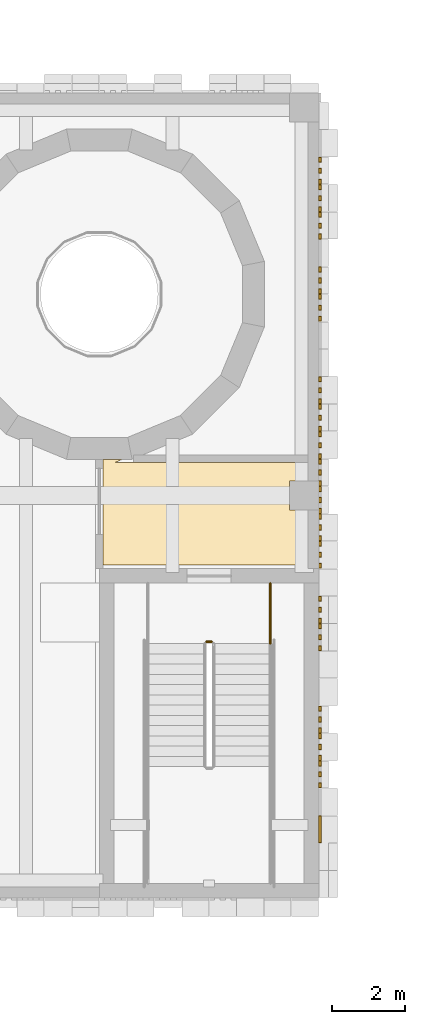
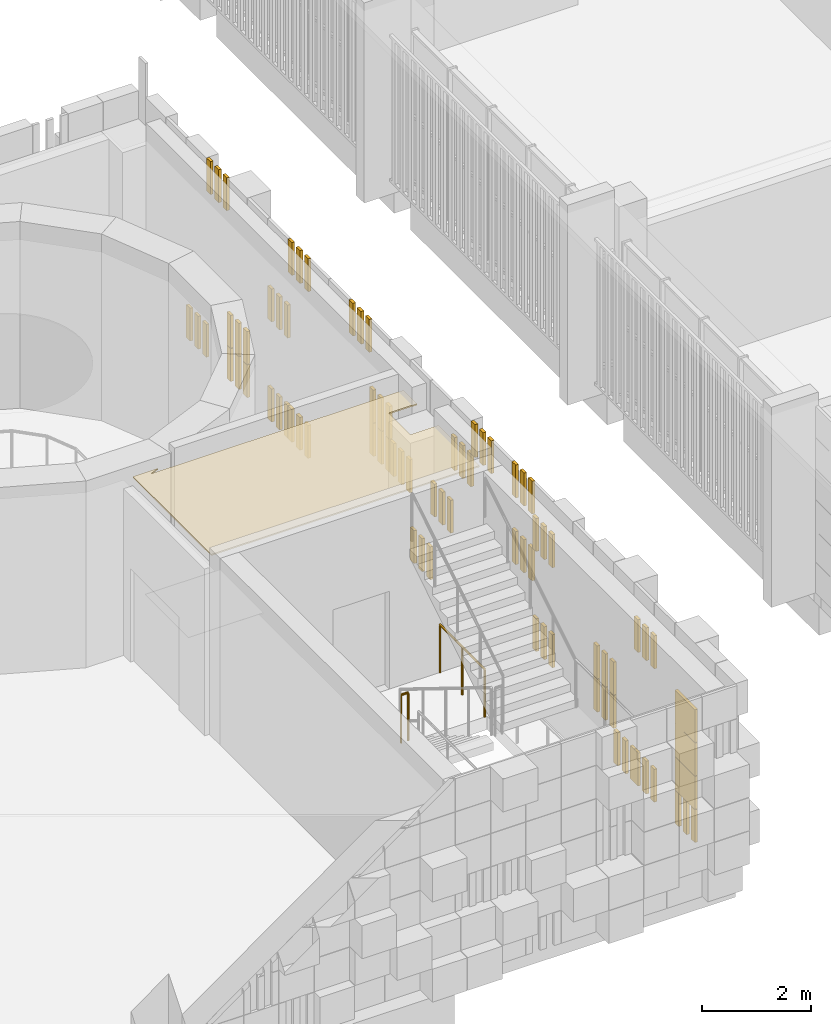
# One storey, part 74 of 92: 2 coverings, 2 railings.
"""IFC4 building model written with IfcOpenShell, lengths in metres."""

from ifc_helpers import new_model, si_unit, direction, frame, origin, origin_2d, place, context, subcontext, project, spatial, polyline, rectangle, circle, outline, extrude, material, layer, layer_set, type_object, element, save


model = new_model("IFC4")

# Units and contexts
model_context = context("Model", 3, precision=1e-05, world=origin(), true_north=direction((0.0, 1.0)))
body_context = subcontext(model_context, "Body", "Model", "MODEL_VIEW")
ifc_project = project(units=[si_unit("LENGTHUNIT", "METRE"), si_unit("AREAUNIT", "SQUARE_METRE"), si_unit("VOLUMEUNIT", "CUBIC_METRE"), si_unit("PLANEANGLEUNIT", "RADIAN"), si_unit("MASSUNIT", "GRAM", prefix="KILO")], contexts=[model_context])

# Site, building, storey
site_placement = place(None, origin())
site = spatial("IfcSite", under=ifc_project, at=site_placement, CompositionType="ELEMENT")
building_placement = place(site_placement, origin())
building = spatial("IfcBuilding", under=site, at=building_placement, Name="Sun Court Science Centre", CompositionType="ELEMENT")
storey_placement = place(building_placement, frame((0.0, 0.0, 11.25)))
storey = spatial("IfcBuildingStorey", under=building, at=storey_placement, Name="L02", CompositionType="ELEMENT", Elevation=11.25)

# Covering
ifc_material_1 = material(Name="Gypsum board")
ifc_layer_1 = layer(ifc_material_1, 0.030029296875)
ifc_layer_set_1 = layer_set([ifc_layer_1], Name="Gypsum board")
covering_type_1 = type_object("IfcCoveringType", Name="Ceiling suspended 600 module", PredefinedType="CEILING", material=ifc_layer_set_1)
covering_1_placement = place(storey_placement, frame((0.0, 0.0, 3.919921875)))
element("IfcCovering", 1, at=covering_1_placement, inside=storey, type_object=covering_type_1, Name="L02-028 ceiling", PredefinedType="CEILING", context=body_context, shape_type="SweptSolid", body=[
    extrude(outline(polyline([(71.800048828125, 15.10009765625), (66.10009765625, 15.10009765625), (66.10009765625, 17.98828125), (66.635986328125, 17.98828125), (66.4345703125, 17.90478515625), (66.435546875, 17.89990234375), (71.800048828125, 17.89990234375), (71.800048828125, 17.39990234375), (71.199951171875, 17.39990234375), (71.199951171875, 16.60009765625), (71.800048828125, 16.60009765625), (71.800048828125, 15.10009765625)])), origin(), (0.0, 0.0, 1.0), 0.030029296875),
])

# Railings
ifc_material_2 = material(Name="Steel S275", Category="steel")
railing_type = type_object("IfcRailingType", Name="Guard 1100 steel balustrade", PredefinedType="GUARDRAIL", material=ifc_material_2)
railing_1_placement = place(storey_placement, frame((68.925048828125, 13.001953125, 0.0)))
element("IfcRailing", 2, at=railing_1_placement, inside=storey, type_object=railing_type, Name="L02 SB3 stair guard 6", PredefinedType="GUARDRAIL", context=body_context, shape_type="SweptSolid", body=[
    extrude(circle(Radius=0.02392578125, at=origin_2d()), frame((0.0, 0.0, 1.076171875), z_axis=(1.0, 0.0, 0.0), x_axis=(0.0, 1.0, 0.0)), (0.0, 0.0, 1.0), 0.14990234375),
    extrude(circle(Radius=0.02099609375, at=origin_2d()), origin(), (0.0, 0.0, 1.0), 1.052001953125),
    extrude(circle(Radius=0.02099609375, at=origin_2d()), frame((0.14990234375, 0.0, 0.0)), (0.0, 0.0, 1.0), 1.052001953125),
])
railing_2_placement = place(storey_placement, frame((70.673095703125, 14.60009765625, 0.0)))
element("IfcRailing", 3, at=railing_2_placement, inside=storey, type_object=railing_type, Name="L02 SB3 stair guard 8", PredefinedType="GUARDRAIL", context=body_context, shape_type="SweptSolid", body=[
    extrude(circle(Radius=0.02392578125, at=origin_2d()), frame((0.0, 0.0, 1.076171875), z_axis=(0.0, -1.0, 0.0), x_axis=(1.0, 0.0, 0.0)), (0.0, 0.0, 1.0), 1.648193359375),
    extrude(circle(Radius=0.02099609375, at=origin_2d()), origin(), (0.0, 0.0, 1.0), 1.052001953125),
    extrude(circle(Radius=0.02099609375, at=origin_2d()), frame((0.0, -0.82421875, 0.0)), (0.0, 0.0, 1.0), 1.052001953125),
    extrude(circle(Radius=0.02099609375, at=origin_2d()), frame((0.0, -1.648193359375, 0.0)), (0.0, 0.0, 1.0), 1.052001953125),
])

# Covering
ifc_material_3 = material(Name="Terracotta jali", Category="masonry")
ifc_layer_2 = layer(ifc_material_3, 0.06005859375)
ifc_layer_set_2 = layer_set([ifc_layer_2], Name="Terracotta jali")
covering_type_2 = type_object("IfcCoveringType", Name="Terracotta open jali panel", PredefinedType="CLADDING", material=ifc_layer_set_2)
covering_2_placement = place(storey_placement, frame((0.0, 0.0, -11.25)))
element("IfcCovering", 4, at=covering_2_placement, inside=storey, type_object=covering_type_2, Name="Open jali pixel cladding east face L02", PredefinedType="CLADDING", context=body_context, shape_type="SweptSolid", body=[
    extrude(rectangle(XDim=0.139892578125, YDim=0.06005859375, at=origin_2d()), frame((72.030029296875, 26.175048828125, 11.2548828125), z_axis=(0.0, 0.0, 1.0), x_axis=(0.0, -1.0, 0.0)), (0.0, 0.0, 1.0), 0.739990234375),
    extrude(rectangle(XDim=0.139892578125, YDim=0.06005859375, at=origin_2d()), frame((72.030029296875, 25.875, 11.2548828125), z_axis=(0.0, 0.0, 1.0), x_axis=(0.0, -1.0, 0.0)), (0.0, 0.0, 1.0), 0.739990234375),
    extrude(rectangle(XDim=0.139892578125, YDim=0.06005859375, at=origin_2d()), frame((72.030029296875, 25.574951171875, 11.2548828125), z_axis=(0.0, 0.0, 1.0), x_axis=(0.0, -1.0, 0.0)), (0.0, 0.0, 1.0), 0.739990234375),
    extrude(rectangle(XDim=0.139892578125, YDim=0.06005859375, at=origin_2d()), frame((72.030029296875, 24.675048828125, 11.2548828125), z_axis=(0.0, 0.0, 1.0), x_axis=(0.0, -1.0, 0.0)), (0.0, 0.0, 1.0), 0.739990234375),
    extrude(rectangle(XDim=0.139892578125, YDim=0.06005859375, at=origin_2d()), frame((72.030029296875, 24.375, 11.2548828125), z_axis=(0.0, 0.0, 1.0), x_axis=(0.0, -1.0, 0.0)), (0.0, 0.0, 1.0), 0.739990234375),
    extrude(rectangle(XDim=0.139892578125, YDim=0.06005859375, at=origin_2d()), frame((72.030029296875, 24.074951171875, 11.2548828125), z_axis=(0.0, 0.0, 1.0), x_axis=(0.0, -1.0, 0.0)), (0.0, 0.0, 1.0), 0.739990234375),
    extrude(rectangle(XDim=0.139892578125, YDim=0.06005859375, at=origin_2d()), frame((72.030029296875, 23.175048828125, 11.2548828125), z_axis=(0.0, 0.0, 1.0), x_axis=(0.0, -1.0, 0.0)), (0.0, 0.0, 1.0), 0.739990234375),
    extrude(rectangle(XDim=0.139892578125, YDim=0.06005859375, at=origin_2d()), frame((72.030029296875, 22.875, 11.2548828125), z_axis=(0.0, 0.0, 1.0), x_axis=(0.0, -1.0, 0.0)), (0.0, 0.0, 1.0), 0.739990234375),
    extrude(rectangle(XDim=0.139892578125, YDim=0.06005859375, at=origin_2d()), frame((72.030029296875, 22.574951171875, 11.2548828125), z_axis=(0.0, 0.0, 1.0), x_axis=(0.0, -1.0, 0.0)), (0.0, 0.0, 1.0), 0.739990234375),
    extrude(rectangle(XDim=0.139892578125, YDim=0.06005859375, at=origin_2d()), frame((72.030029296875, 22.425048828125, 11.2548828125), z_axis=(0.0, 0.0, 1.0), x_axis=(0.0, -1.0, 0.0)), (0.0, 0.0, 1.0), 0.739990234375),
    extrude(rectangle(XDim=0.139892578125, YDim=0.06005859375, at=origin_2d()), frame((72.030029296875, 22.125, 11.2548828125), z_axis=(0.0, 0.0, 1.0), x_axis=(0.0, -1.0, 0.0)), (0.0, 0.0, 1.0), 0.739990234375),
    extrude(rectangle(XDim=0.139892578125, YDim=0.06005859375, at=origin_2d()), frame((72.030029296875, 21.824951171875, 11.2548828125), z_axis=(0.0, 0.0, 1.0), x_axis=(0.0, -1.0, 0.0)), (0.0, 0.0, 1.0), 0.739990234375),
    extrude(rectangle(XDim=0.139892578125, YDim=0.06005859375, at=origin_2d()), frame((72.030029296875, 17.925048828125, 11.2548828125), z_axis=(0.0, 0.0, 1.0), x_axis=(0.0, -1.0, 0.0)), (0.0, 0.0, 1.0), 0.739990234375),
    extrude(rectangle(XDim=0.139892578125, YDim=0.06005859375, at=origin_2d()), frame((72.030029296875, 17.625, 11.2548828125), z_axis=(0.0, 0.0, 1.0), x_axis=(0.0, -1.0, 0.0)), (0.0, 0.0, 1.0), 0.739990234375),
    extrude(rectangle(XDim=0.139892578125, YDim=0.06005859375, at=origin_2d()), frame((72.030029296875, 17.324951171875, 11.2548828125), z_axis=(0.0, 0.0, 1.0), x_axis=(0.0, -1.0, 0.0)), (0.0, 0.0, 1.0), 0.739990234375),
    extrude(rectangle(XDim=0.139892578125, YDim=0.06005859375, at=origin_2d()), frame((72.030029296875, 10.425048828125, 11.2548828125), z_axis=(0.0, 0.0, 1.0), x_axis=(0.0, -1.0, 0.0)), (0.0, 0.0, 1.0), 0.739990234375),
    extrude(rectangle(XDim=0.139892578125, YDim=0.06005859375, at=origin_2d()), frame((72.030029296875, 10.125, 11.2548828125), z_axis=(0.0, 0.0, 1.0), x_axis=(0.0, -1.0, 0.0)), (0.0, 0.0, 1.0), 0.739990234375),
    extrude(rectangle(XDim=0.139892578125, YDim=0.06005859375, at=origin_2d()), frame((72.030029296875, 9.824951171875, 11.2548828125), z_axis=(0.0, 0.0, 1.0), x_axis=(0.0, -1.0, 0.0)), (0.0, 0.0, 1.0), 0.739990234375),
    extrude(rectangle(XDim=0.139892578125, YDim=0.06005859375, at=origin_2d()), frame((72.030029296875, 9.675048828125, 11.2548828125), z_axis=(0.0, 0.0, 1.0), x_axis=(0.0, -1.0, 0.0)), (0.0, 0.0, 1.0), 0.739990234375),
    extrude(rectangle(XDim=0.139892578125, YDim=0.06005859375, at=origin_2d()), frame((72.030029296875, 9.375, 11.2548828125), z_axis=(0.0, 0.0, 1.0), x_axis=(0.0, -1.0, 0.0)), (0.0, 0.0, 1.0), 0.739990234375),
    extrude(rectangle(XDim=0.139892578125, YDim=0.06005859375, at=origin_2d()), frame((72.030029296875, 9.074951171875, 11.2548828125), z_axis=(0.0, 0.0, 1.0), x_axis=(0.0, -1.0, 0.0)), (0.0, 0.0, 1.0), 0.739990234375),
    extrude(rectangle(XDim=0.139892578125, YDim=0.06005859375, at=origin_2d()), frame((72.030029296875, 8.175048828125, 11.2548828125), z_axis=(0.0, 0.0, 1.0), x_axis=(0.0, -1.0, 0.0)), (0.0, 0.0, 1.0), 0.739990234375),
    extrude(rectangle(XDim=0.139892578125, YDim=0.06005859375, at=origin_2d()), frame((72.030029296875, 7.875, 11.2548828125), z_axis=(0.0, 0.0, 1.0), x_axis=(0.0, -1.0, 0.0)), (0.0, 0.0, 1.0), 0.739990234375),
    extrude(rectangle(XDim=0.139892578125, YDim=0.06005859375, at=origin_2d()), frame((72.030029296875, 7.574951171875, 11.2548828125), z_axis=(0.0, 0.0, 1.0), x_axis=(0.0, -1.0, 0.0)), (0.0, 0.0, 1.0), 0.739990234375),
    extrude(rectangle(XDim=0.139892578125, YDim=0.06005859375, at=origin_2d()), frame((72.030029296875, 24.675048828125, 12.0048828125), z_axis=(0.0, 0.0, 1.0), x_axis=(0.0, -1.0, 0.0)), (0.0, 0.0, 1.0), 0.739990234375),
    extrude(rectangle(XDim=0.139892578125, YDim=0.06005859375, at=origin_2d()), frame((72.030029296875, 24.375, 12.0048828125), z_axis=(0.0, 0.0, 1.0), x_axis=(0.0, -1.0, 0.0)), (0.0, 0.0, 1.0), 0.739990234375),
    extrude(rectangle(XDim=0.139892578125, YDim=0.06005859375, at=origin_2d()), frame((72.030029296875, 24.074951171875, 12.0048828125), z_axis=(0.0, 0.0, 1.0), x_axis=(0.0, -1.0, 0.0)), (0.0, 0.0, 1.0), 0.739990234375),
    extrude(rectangle(XDim=0.139892578125, YDim=0.06005859375, at=origin_2d()), frame((72.030029296875, 13.425048828125, 12.0048828125), z_axis=(0.0, 0.0, 1.0), x_axis=(0.0, -1.0, 0.0)), (0.0, 0.0, 1.0), 0.739990234375),
    extrude(rectangle(XDim=0.139892578125, YDim=0.06005859375, at=origin_2d()), frame((72.030029296875, 13.125, 12.0048828125), z_axis=(0.0, 0.0, 1.0), x_axis=(0.0, -1.0, 0.0)), (0.0, 0.0, 1.0), 0.739990234375),
    extrude(rectangle(XDim=0.139892578125, YDim=0.06005859375, at=origin_2d()), frame((72.030029296875, 12.824951171875, 12.0048828125), z_axis=(0.0, 0.0, 1.0), x_axis=(0.0, -1.0, 0.0)), (0.0, 0.0, 1.0), 0.739990234375),
    extrude(rectangle(XDim=0.139892578125, YDim=0.06005859375, at=origin_2d()), frame((72.030029296875, 11.175048828125, 12.0048828125), z_axis=(0.0, 0.0, 1.0), x_axis=(0.0, -1.0, 0.0)), (0.0, 0.0, 1.0), 0.739990234375),
    extrude(rectangle(XDim=0.139892578125, YDim=0.06005859375, at=origin_2d()), frame((72.030029296875, 10.875, 12.0048828125), z_axis=(0.0, 0.0, 1.0), x_axis=(0.0, -1.0, 0.0)), (0.0, 0.0, 1.0), 0.739990234375),
    extrude(rectangle(XDim=0.139892578125, YDim=0.06005859375, at=origin_2d()), frame((72.030029296875, 10.574951171875, 12.0048828125), z_axis=(0.0, 0.0, 1.0), x_axis=(0.0, -1.0, 0.0)), (0.0, 0.0, 1.0), 0.739990234375),
    extrude(rectangle(XDim=0.139892578125, YDim=0.06005859375, at=origin_2d()), frame((72.030029296875, 19.425048828125, 12.7548828125), z_axis=(0.0, 0.0, 1.0), x_axis=(0.0, -1.0, 0.0)), (0.0, 0.0, 1.0), 0.739990234375),
    extrude(rectangle(XDim=0.139892578125, YDim=0.06005859375, at=origin_2d()), frame((72.030029296875, 19.125, 12.7548828125), z_axis=(0.0, 0.0, 1.0), x_axis=(0.0, -1.0, 0.0)), (0.0, 0.0, 1.0), 0.739990234375),
    extrude(rectangle(XDim=0.139892578125, YDim=0.06005859375, at=origin_2d()), frame((72.030029296875, 18.824951171875, 12.7548828125), z_axis=(0.0, 0.0, 1.0), x_axis=(0.0, -1.0, 0.0)), (0.0, 0.0, 1.0), 0.739990234375),
    extrude(rectangle(XDim=0.139892578125, YDim=0.06005859375, at=origin_2d()), frame((72.030029296875, 18.675048828125, 12.7548828125), z_axis=(0.0, 0.0, 1.0), x_axis=(0.0, -1.0, 0.0)), (0.0, 0.0, 1.0), 0.739990234375),
    extrude(rectangle(XDim=0.139892578125, YDim=0.06005859375, at=origin_2d()), frame((72.030029296875, 18.375, 12.7548828125), z_axis=(0.0, 0.0, 1.0), x_axis=(0.0, -1.0, 0.0)), (0.0, 0.0, 1.0), 0.739990234375),
    extrude(rectangle(XDim=0.139892578125, YDim=0.06005859375, at=origin_2d()), frame((72.030029296875, 18.074951171875, 12.7548828125), z_axis=(0.0, 0.0, 1.0), x_axis=(0.0, -1.0, 0.0)), (0.0, 0.0, 1.0), 0.739990234375),
    extrude(rectangle(XDim=0.139892578125, YDim=0.06005859375, at=origin_2d()), frame((72.030029296875, 17.175048828125, 12.7548828125), z_axis=(0.0, 0.0, 1.0), x_axis=(0.0, -1.0, 0.0)), (0.0, 0.0, 1.0), 0.739990234375),
    extrude(rectangle(XDim=0.139892578125, YDim=0.06005859375, at=origin_2d()), frame((72.030029296875, 16.875, 12.7548828125), z_axis=(0.0, 0.0, 1.0), x_axis=(0.0, -1.0, 0.0)), (0.0, 0.0, 1.0), 0.739990234375),
    extrude(rectangle(XDim=0.139892578125, YDim=0.06005859375, at=origin_2d()), frame((72.030029296875, 16.574951171875, 12.7548828125), z_axis=(0.0, 0.0, 1.0), x_axis=(0.0, -1.0, 0.0)), (0.0, 0.0, 1.0), 0.739990234375),
    extrude(rectangle(XDim=0.139892578125, YDim=0.06005859375, at=origin_2d()), frame((72.030029296875, 11.175048828125, 12.7548828125), z_axis=(0.0, 0.0, 1.0), x_axis=(0.0, -1.0, 0.0)), (0.0, 0.0, 1.0), 0.739990234375),
    extrude(rectangle(XDim=0.139892578125, YDim=0.06005859375, at=origin_2d()), frame((72.030029296875, 10.875, 12.7548828125), z_axis=(0.0, 0.0, 1.0), x_axis=(0.0, -1.0, 0.0)), (0.0, 0.0, 1.0), 0.739990234375),
    extrude(rectangle(XDim=0.139892578125, YDim=0.06005859375, at=origin_2d()), frame((72.030029296875, 10.574951171875, 12.7548828125), z_axis=(0.0, 0.0, 1.0), x_axis=(0.0, -1.0, 0.0)), (0.0, 0.0, 1.0), 0.739990234375),
    extrude(rectangle(XDim=0.139892578125, YDim=0.06005859375, at=origin_2d()), frame((72.030029296875, 23.175048828125, 13.5048828125), z_axis=(0.0, 0.0, 1.0), x_axis=(0.0, -1.0, 0.0)), (0.0, 0.0, 1.0), 0.739990234375),
    extrude(rectangle(XDim=0.139892578125, YDim=0.06005859375, at=origin_2d()), frame((72.030029296875, 22.875, 13.5048828125), z_axis=(0.0, 0.0, 1.0), x_axis=(0.0, -1.0, 0.0)), (0.0, 0.0, 1.0), 0.739990234375),
    extrude(rectangle(XDim=0.139892578125, YDim=0.06005859375, at=origin_2d()), frame((72.030029296875, 22.574951171875, 13.5048828125), z_axis=(0.0, 0.0, 1.0), x_axis=(0.0, -1.0, 0.0)), (0.0, 0.0, 1.0), 0.739990234375),
    extrude(rectangle(XDim=0.139892578125, YDim=0.06005859375, at=origin_2d()), frame((72.030029296875, 19.425048828125, 13.5048828125), z_axis=(0.0, 0.0, 1.0), x_axis=(0.0, -1.0, 0.0)), (0.0, 0.0, 1.0), 0.739990234375),
    extrude(rectangle(XDim=0.139892578125, YDim=0.06005859375, at=origin_2d()), frame((72.030029296875, 19.125, 13.5048828125), z_axis=(0.0, 0.0, 1.0), x_axis=(0.0, -1.0, 0.0)), (0.0, 0.0, 1.0), 0.739990234375),
    extrude(rectangle(XDim=0.139892578125, YDim=0.06005859375, at=origin_2d()), frame((72.030029296875, 18.824951171875, 13.5048828125), z_axis=(0.0, 0.0, 1.0), x_axis=(0.0, -1.0, 0.0)), (0.0, 0.0, 1.0), 0.739990234375),
    extrude(rectangle(XDim=0.139892578125, YDim=0.06005859375, at=origin_2d()), frame((72.030029296875, 14.175048828125, 13.5048828125), z_axis=(0.0, 0.0, 1.0), x_axis=(0.0, -1.0, 0.0)), (0.0, 0.0, 1.0), 0.739990234375),
    extrude(rectangle(XDim=0.139892578125, YDim=0.06005859375, at=origin_2d()), frame((72.030029296875, 13.875, 13.5048828125), z_axis=(0.0, 0.0, 1.0), x_axis=(0.0, -1.0, 0.0)), (0.0, 0.0, 1.0), 0.739990234375),
    extrude(rectangle(XDim=0.139892578125, YDim=0.06005859375, at=origin_2d()), frame((72.030029296875, 13.574951171875, 13.5048828125), z_axis=(0.0, 0.0, 1.0), x_axis=(0.0, -1.0, 0.0)), (0.0, 0.0, 1.0), 0.739990234375),
    extrude(rectangle(XDim=0.139892578125, YDim=0.06005859375, at=origin_2d()), frame((72.030029296875, 16.425048828125, 14.2548828125), z_axis=(0.0, 0.0, 1.0), x_axis=(0.0, -1.0, 0.0)), (0.0, 0.0, 1.0), 0.739990234375),
    extrude(rectangle(XDim=0.139892578125, YDim=0.06005859375, at=origin_2d()), frame((72.030029296875, 16.125, 14.2548828125), z_axis=(0.0, 0.0, 1.0), x_axis=(0.0, -1.0, 0.0)), (0.0, 0.0, 1.0), 0.739990234375),
    extrude(rectangle(XDim=0.139892578125, YDim=0.06005859375, at=origin_2d()), frame((72.030029296875, 15.824951171875, 14.2548828125), z_axis=(0.0, 0.0, 1.0), x_axis=(0.0, -1.0, 0.0)), (0.0, 0.0, 1.0), 0.739990234375),
    extrude(rectangle(XDim=0.139892578125, YDim=0.06005859375, at=origin_2d()), frame((72.030029296875, 13.425048828125, 14.2548828125), z_axis=(0.0, 0.0, 1.0), x_axis=(0.0, -1.0, 0.0)), (0.0, 0.0, 1.0), 0.739990234375),
    extrude(rectangle(XDim=0.139892578125, YDim=0.06005859375, at=origin_2d()), frame((72.030029296875, 13.125, 14.2548828125), z_axis=(0.0, 0.0, 1.0), x_axis=(0.0, -1.0, 0.0)), (0.0, 0.0, 1.0), 0.739990234375),
    extrude(rectangle(XDim=0.139892578125, YDim=0.06005859375, at=origin_2d()), frame((72.030029296875, 12.824951171875, 14.2548828125), z_axis=(0.0, 0.0, 1.0), x_axis=(0.0, -1.0, 0.0)), (0.0, 0.0, 1.0), 0.739990234375),
    extrude(rectangle(XDim=0.139892578125, YDim=0.06005859375, at=origin_2d()), frame((72.030029296875, 9.675048828125, 14.2548828125), z_axis=(0.0, 0.0, 1.0), x_axis=(0.0, -1.0, 0.0)), (0.0, 0.0, 1.0), 0.739990234375),
    extrude(rectangle(XDim=0.139892578125, YDim=0.06005859375, at=origin_2d()), frame((72.030029296875, 9.375, 14.2548828125), z_axis=(0.0, 0.0, 1.0), x_axis=(0.0, -1.0, 0.0)), (0.0, 0.0, 1.0), 0.739990234375),
    extrude(rectangle(XDim=0.139892578125, YDim=0.06005859375, at=origin_2d()), frame((72.030029296875, 9.074951171875, 14.2548828125), z_axis=(0.0, 0.0, 1.0), x_axis=(0.0, -1.0, 0.0)), (0.0, 0.0, 1.0), 0.739990234375),
    extrude(rectangle(XDim=0.139892578125, YDim=0.06005859375, at=origin_2d()), frame((72.030029296875, 25.425048828125, 15.0048828125), z_axis=(0.0, 0.0, 1.0), x_axis=(0.0, -1.0, 0.0)), (0.0, 0.0, 1.0), 0.739990234375),
    extrude(rectangle(XDim=0.139892578125, YDim=0.06005859375, at=origin_2d()), frame((72.030029296875, 25.125, 15.0048828125), z_axis=(0.0, 0.0, 1.0), x_axis=(0.0, -1.0, 0.0)), (0.0, 0.0, 1.0), 0.739990234375),
    extrude(rectangle(XDim=0.139892578125, YDim=0.06005859375, at=origin_2d()), frame((72.030029296875, 24.824951171875, 15.0048828125), z_axis=(0.0, 0.0, 1.0), x_axis=(0.0, -1.0, 0.0)), (0.0, 0.0, 1.0), 0.739990234375),
    extrude(rectangle(XDim=0.139892578125, YDim=0.06005859375, at=origin_2d()), frame((72.030029296875, 22.425048828125, 15.0048828125), z_axis=(0.0, 0.0, 1.0), x_axis=(0.0, -1.0, 0.0)), (0.0, 0.0, 1.0), 0.739990234375),
    extrude(rectangle(XDim=0.139892578125, YDim=0.06005859375, at=origin_2d()), frame((72.030029296875, 22.125, 15.0048828125), z_axis=(0.0, 0.0, 1.0), x_axis=(0.0, -1.0, 0.0)), (0.0, 0.0, 1.0), 0.739990234375),
    extrude(rectangle(XDim=0.139892578125, YDim=0.06005859375, at=origin_2d()), frame((72.030029296875, 21.824951171875, 15.0048828125), z_axis=(0.0, 0.0, 1.0), x_axis=(0.0, -1.0, 0.0)), (0.0, 0.0, 1.0), 0.739990234375),
    extrude(rectangle(XDim=0.139892578125, YDim=0.06005859375, at=origin_2d()), frame((72.030029296875, 20.175048828125, 15.0048828125), z_axis=(0.0, 0.0, 1.0), x_axis=(0.0, -1.0, 0.0)), (0.0, 0.0, 1.0), 0.739990234375),
    extrude(rectangle(XDim=0.139892578125, YDim=0.06005859375, at=origin_2d()), frame((72.030029296875, 19.875, 15.0048828125), z_axis=(0.0, 0.0, 1.0), x_axis=(0.0, -1.0, 0.0)), (0.0, 0.0, 1.0), 0.739990234375),
    extrude(rectangle(XDim=0.139892578125, YDim=0.06005859375, at=origin_2d()), frame((72.030029296875, 19.574951171875, 15.0048828125), z_axis=(0.0, 0.0, 1.0), x_axis=(0.0, -1.0, 0.0)), (0.0, 0.0, 1.0), 0.739990234375),
    extrude(rectangle(XDim=0.139892578125, YDim=0.06005859375, at=origin_2d()), frame((72.030029296875, 15.675048828125, 15.0048828125), z_axis=(0.0, 0.0, 1.0), x_axis=(0.0, -1.0, 0.0)), (0.0, 0.0, 1.0), 0.739990234375),
    extrude(rectangle(XDim=0.139892578125, YDim=0.06005859375, at=origin_2d()), frame((72.030029296875, 15.375, 15.0048828125), z_axis=(0.0, 0.0, 1.0), x_axis=(0.0, -1.0, 0.0)), (0.0, 0.0, 1.0), 0.739990234375),
    extrude(rectangle(XDim=0.139892578125, YDim=0.06005859375, at=origin_2d()), frame((72.030029296875, 15.074951171875, 15.0048828125), z_axis=(0.0, 0.0, 1.0), x_axis=(0.0, -1.0, 0.0)), (0.0, 0.0, 1.0), 0.739990234375),
    extrude(rectangle(XDim=0.139892578125, YDim=0.06005859375, at=origin_2d()), frame((72.030029296875, 14.175048828125, 15.0048828125), z_axis=(0.0, 0.0, 1.0), x_axis=(0.0, -1.0, 0.0)), (0.0, 0.0, 1.0), 0.739990234375),
    extrude(rectangle(XDim=0.139892578125, YDim=0.06005859375, at=origin_2d()), frame((72.030029296875, 13.875, 15.0048828125), z_axis=(0.0, 0.0, 1.0), x_axis=(0.0, -1.0, 0.0)), (0.0, 0.0, 1.0), 0.739990234375),
    extrude(rectangle(XDim=0.139892578125, YDim=0.06005859375, at=origin_2d()), frame((72.030029296875, 13.574951171875, 15.0048828125), z_axis=(0.0, 0.0, 1.0), x_axis=(0.0, -1.0, 0.0)), (0.0, 0.0, 1.0), 0.739990234375),
    extrude(rectangle(XDim=0.739990234375, YDim=0.06005859375, at=origin_2d()), frame((72.030029296875, 7.875, 12.7548828125), z_axis=(0.0, 0.0, 1.0), x_axis=(0.0, -1.0, 0.0)), (0.0, 0.0, 1.0), 0.739990234375),
    extrude(rectangle(XDim=0.739990234375, YDim=0.06005859375, at=origin_2d()), frame((72.030029296875, 7.875, 12.0048828125), z_axis=(0.0, 0.0, 1.0), x_axis=(0.0, -1.0, 0.0)), (0.0, 0.0, 1.0), 0.739990234375),
    extrude(rectangle(XDim=0.739990234375, YDim=0.06005859375, at=origin_2d()), frame((72.030029296875, 7.875, 13.5048828125), z_axis=(0.0, 0.0, 1.0), x_axis=(0.0, -1.0, 0.0)), (0.0, 0.0, 1.0), 0.739990234375),
])

save(model, "model.ifc")
